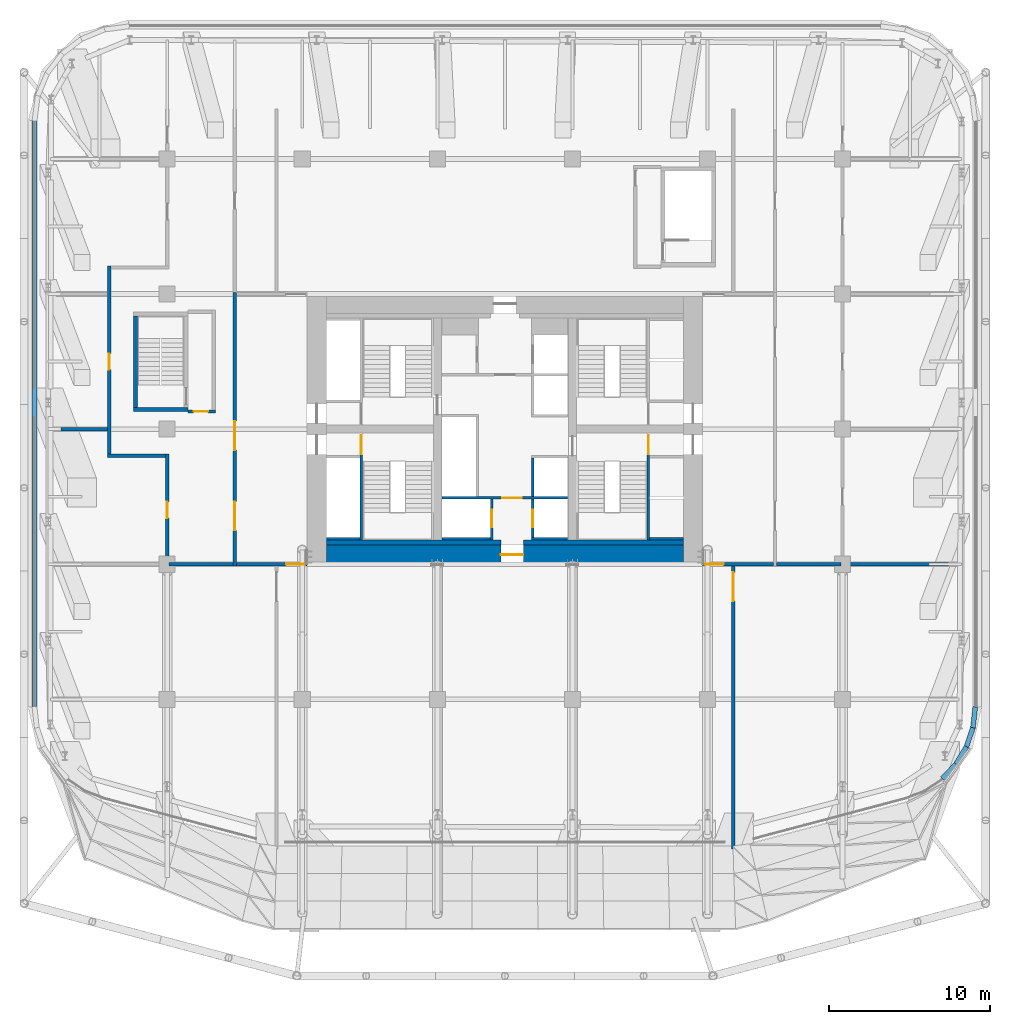
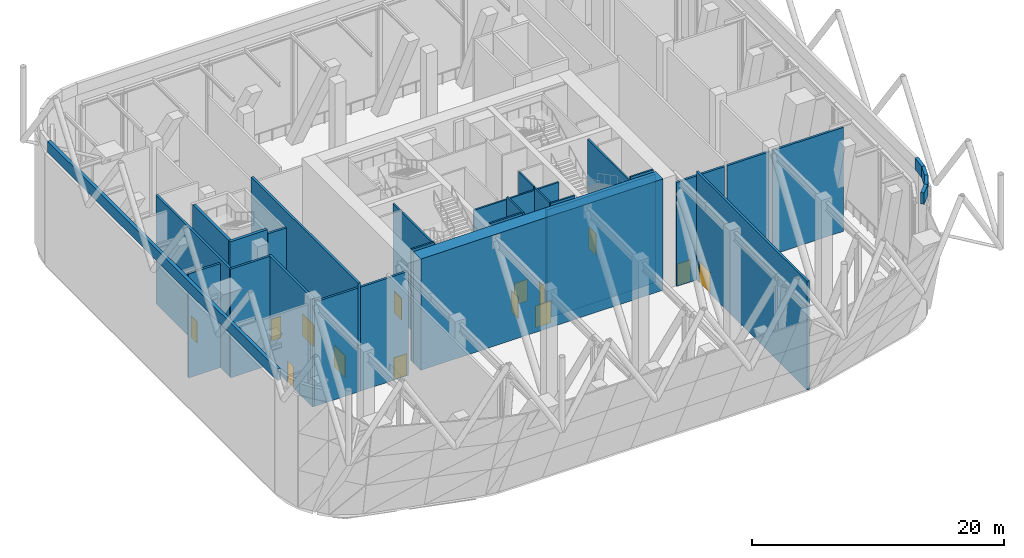
# One storey, part 9 of 19: 32 walls, 14 doors, 14 openings.
"""IFC4 building model written with IfcOpenShell, lengths in metres."""

from ifc_helpers import new_model, si_unit, direction, frame, frame_2d, origin, place, context, subcontext, project, spatial, rectangle, extrude, material, layer, layer_set, type_object, element, fill, save


model = new_model("IFC4")

# Units and contexts
model_context = context("Model", 3, precision=1e-05, world=origin(), true_north=direction((0.0, 1.0)))
body_context = subcontext(model_context, "Body", "Model", "MODEL_VIEW")
ifc_project = project(units=[si_unit("LENGTHUNIT", "METRE"), si_unit("AREAUNIT", "SQUARE_METRE"), si_unit("VOLUMEUNIT", "CUBIC_METRE"), si_unit("PLANEANGLEUNIT", "RADIAN"), si_unit("MASSUNIT", "GRAM", prefix="KILO")], contexts=[model_context])

# Site, building, storey
site_placement = place(None, origin())
site = spatial("IfcSite", under=ifc_project, at=site_placement, CompositionType="ELEMENT")
building_placement = place(site_placement, origin())
building = spatial("IfcBuilding", under=site, at=building_placement, Name="Marenta Gate Hotel Tower", CompositionType="ELEMENT")
storey_placement = place(building_placement, frame((0.0, 0.0, 86.89990234375)))
storey = spatial("IfcBuildingStorey", under=building, at=storey_placement, Name="L20", CompositionType="ELEMENT", Elevation=86.89990234375)

# Wall, openings, doors
ifc_material_1 = material(Name="Concrete blockwork", Category="masonry")
ifc_layer_1 = layer(ifc_material_1, 0.199951171875)
ifc_layer_set_1 = layer_set([ifc_layer_1], Name="Concrete blockwork")
wall_type_1 = type_object("IfcWallType", Name="Core boundary wall 200 REI 180", PredefinedType="PARTITIONING", material=ifc_layer_set_1)
wall_1_placement = place(storey_placement, frame((-16.800048828125, -0.10009765625, 0.0), z_axis=(0.0, 0.0, 1.0), x_axis=(0.0, 1.0, 0.0)))
wall_1 = element("IfcWall", 1, at=wall_1_placement, inside=storey, type_object=wall_type_1, Name="L20-CP-BW-W", PredefinedType="PARTITIONING", context=body_context, shape_type="SweptSolid", body=[
    extrude(rectangle(XDim=17.0, YDim=0.199951171875, at=frame_2d((8.5, 0.0))), origin(), (0.0, 0.0, 1.0), 10.5400390625),
])
opening_1_placement = place(wall_1_placement, frame((2.199951171875, 0.0, 0.0)))
opening_1 = element("IfcOpeningElement", 2, at=opening_1_placement, cuts=wall_1, Name="Opening ED-Wa-B", PredefinedType="OPENING", context=body_context, shape_type="SweptSolid", body=[
    extrude(rectangle(XDim=1.800048828125, YDim=2.10009765625, at=frame_2d((0.89990234375, 1.050048828125))), frame((0.0, 0.10009765625, 0.0), z_axis=(0.0, -1.0, 0.0), x_axis=(1.0, 0.0, 0.0)), (0.0, 0.0, 1.0), 0.199951171875),
])
opening_2_placement = place(wall_1_placement, frame((7.199951171875, 0.0, 0.0)))
opening_2 = element("IfcOpeningElement", 3, at=opening_2_placement, cuts=wall_1, Name="Opening ED-Wb-B", PredefinedType="OPENING", context=body_context, shape_type="SweptSolid", body=[
    extrude(rectangle(XDim=1.800048828125, YDim=2.10009765625, at=frame_2d((0.89990234375, 1.050048828125))), frame((0.0, 0.10009765625, 0.0), z_axis=(0.0, -1.0, 0.0), x_axis=(1.0, 0.0, 0.0)), (0.0, 0.0, 1.0), 0.199951171875),
])
ifc_material_2 = material(Name="Steel", Category="steel")
door_type_1 = type_object("IfcDoorType", Name="Core lobby entrance door 1800x2100 EI 60", OperationType="DOUBLE_DOOR_SINGLE_SWING", PredefinedType="DOOR", material=ifc_material_2)
door_1_placement = place(opening_1_placement, origin())
door_1 = element("IfcDoor", 4, at=door_1_placement, inside=storey, type_object=door_type_1, Name="ED-Wa-B", OperationType="DOUBLE_DOOR_SINGLE_SWING", OverallHeight=2.10009765625, OverallWidth=1.800048828125, PredefinedType="DOOR", context=body_context, shape_type="SweptSolid", body=[
    extrude(rectangle(XDim=1.800048828125, YDim=2.10009765625, at=frame_2d((0.89990234375, 1.050048828125))), frame((0.0, 0.02490234375, 0.0), z_axis=(0.0, -1.0, 0.0), x_axis=(1.0, 0.0, 0.0)), (0.0, 0.0, 1.0), 0.050048828125),
])
fill(opening_1, door_1)
door_2_placement = place(opening_2_placement, origin())
door_2 = element("IfcDoor", 5, at=door_2_placement, inside=storey, type_object=door_type_1, Name="ED-Wb-B", OperationType="DOUBLE_DOOR_SINGLE_SWING", OverallHeight=2.10009765625, OverallWidth=1.800048828125, PredefinedType="DOOR", context=body_context, shape_type="SweptSolid", body=[
    extrude(rectangle(XDim=1.800048828125, YDim=2.10009765625, at=frame_2d((0.89990234375, 1.050048828125))), frame((0.0, 0.02490234375, 0.0), z_axis=(0.0, -1.0, 0.0), x_axis=(1.0, 0.0, 0.0)), (0.0, 0.0, 1.0), 0.050048828125),
])
fill(opening_2, door_2)

# Wall, opening, door
wall_2_placement = place(storey_placement, frame((-16.699951171875, 0.0, 0.0), z_axis=(0.0, 0.0, 1.0), x_axis=(1.0, 0.0, 0.0)))
wall_2 = element("IfcWall", 6, at=wall_2_placement, inside=storey, type_object=wall_type_1, Name="L20-CP-EW-WS", PredefinedType="PARTITIONING", context=body_context, shape_type="SweptSolid", body=[
    extrude(rectangle(XDim=4.39990234375, YDim=0.199951171875, at=frame_2d((2.199951171875, 0.0))), origin(), (0.0, 0.0, 1.0), 10.090087890625),
])
opening_3_placement = place(wall_2_placement, frame((3.10009765625, 0.0, 0.0)))
opening_3 = element("IfcOpeningElement", 7, at=opening_3_placement, cuts=wall_2, Name="Opening RFD-WS", PredefinedType="OPENING", context=body_context, shape_type="SweptSolid", body=[
    extrude(rectangle(XDim=1.199951171875, YDim=2.10009765625, at=frame_2d((0.60009765625, 1.050048828125))), frame((0.0, 0.10009765625, 0.0), z_axis=(0.0, -1.0, 0.0), x_axis=(1.0, 0.0, 0.0)), (0.0, 0.0, 1.0), 0.199951171875),
])
ifc_material_3 = material(Name="Steel", Category="steel")
door_type_2 = type_object("IfcDoorType", Name="Core lobby door 1200x2100 FD60", OperationType="SINGLE_SWING_LEFT", PredefinedType="DOOR", material=ifc_material_3)
door_3_placement = place(opening_3_placement, origin())
door_3 = element("IfcDoor", 8, at=door_3_placement, inside=storey, type_object=door_type_2, Name="RFD-WS", OperationType="SINGLE_SWING_LEFT", OverallHeight=2.10009765625, OverallWidth=1.199951171875, PredefinedType="DOOR", context=body_context, shape_type="SweptSolid", body=[
    extrude(rectangle(XDim=1.199951171875, YDim=2.10009765625, at=frame_2d((0.60009765625, 1.050048828125))), frame((0.0, 0.02490234375, 0.0), z_axis=(0.0, -1.0, 0.0), x_axis=(1.0, 0.0, 0.0)), (0.0, 0.0, 1.0), 0.050048828125),
])
fill(opening_3, door_3)

wall_3_placement = place(storey_placement, frame((12.300048828125, 0.0, 0.0), z_axis=(0.0, 0.0, 1.0), x_axis=(1.0, 0.0, 0.0)))
wall_3 = element("IfcWall", 9, at=wall_3_placement, inside=storey, type_object=wall_type_1, Name="L20-CP-EW-ES", PredefinedType="PARTITIONING", context=body_context, shape_type="SweptSolid", body=[
    extrude(rectangle(XDim=4.39990234375, YDim=0.199951171875, at=frame_2d((2.199951171875, 0.0))), origin(), (0.0, 0.0, 1.0), 10.090087890625),
])
opening_4_placement = place(wall_3_placement, frame((0.10009765625, 0.0, 0.0)))
opening_4 = element("IfcOpeningElement", 10, at=opening_4_placement, cuts=wall_3, Name="Opening RFD-ES", PredefinedType="OPENING", context=body_context, shape_type="SweptSolid", body=[
    extrude(rectangle(XDim=1.199951171875, YDim=2.10009765625, at=frame_2d((0.60009765625, 1.050048828125))), frame((0.0, 0.10009765625, 0.0), z_axis=(0.0, -1.0, 0.0), x_axis=(1.0, 0.0, 0.0)), (0.0, 0.0, 1.0), 0.199951171875),
])
door_4_placement = place(opening_4_placement, origin())
door_4 = element("IfcDoor", 11, at=door_4_placement, inside=storey, type_object=door_type_2, Name="RFD-ES", OperationType="SINGLE_SWING_LEFT", OverallHeight=2.10009765625, OverallWidth=1.199951171875, PredefinedType="DOOR", context=body_context, shape_type="SweptSolid", body=[
    extrude(rectangle(XDim=1.199951171875, YDim=2.10009765625, at=frame_2d((0.60009765625, 1.050048828125))), frame((0.0, 0.02490234375, 0.0), z_axis=(0.0, -1.0, 0.0), x_axis=(1.0, 0.0, 0.0)), (0.0, 0.0, 1.0), 0.050048828125),
])
fill(opening_4, door_4)

# Walls
ifc_material_4 = material(Name="Concrete C40", Category="concrete")
ifc_layer_2 = layer(ifc_material_4, 0.300048828125)
ifc_layer_set_2 = layer_set([ifc_layer_2], Name="Concrete C40")
wall_type_2 = type_object("IfcWallType", Name="Core lining wall 300 REI 180", PredefinedType="PARTITIONING", material=ifc_layer_set_2)
wall_4_placement = place(storey_placement, frame((-11.10009765625, 1.35009765625, 0.0), z_axis=(0.0, 0.0, 1.0), x_axis=(1.0, 0.0, 0.0)))
element("IfcWall", 12, at=wall_4_placement, inside=storey, type_object=wall_type_2, Name="L20-CP-LN-S1", PredefinedType="PARTITIONING", context=body_context, shape_type="SweptSolid", body=[
    extrude(rectangle(XDim=10.85009765625, YDim=0.300048828125, at=frame_2d((5.425048828125, 0.0))), origin(), (0.0, 0.0, 1.0), 10.5400390625),
])
wall_5_placement = place(storey_placement, frame((1.14990234375, 1.35009765625, 0.0), z_axis=(0.0, 0.0, 1.0), x_axis=(1.0, 0.0, 0.0)))
element("IfcWall", 13, at=wall_5_placement, inside=storey, type_object=wall_type_2, Name="L20-CP-LN-S2", PredefinedType="PARTITIONING", context=body_context, shape_type="SweptSolid", body=[
    extrude(rectangle(XDim=9.9501953125, YDim=0.300048828125, at=frame_2d((4.97509765625, 0.0))), origin(), (0.0, 0.0, 1.0), 10.5400390625),
])

# Wall, opening, door
ifc_material_5 = material(Name="Concrete blockwork", Category="masonry")
ifc_layer_3 = layer(ifc_material_5, 0.14990234375)
ifc_layer_set_3 = layer_set([ifc_layer_3], Name="Concrete blockwork")
wall_type_3 = type_object("IfcWallType", Name="Core lobby partition 150 REI 180", PredefinedType="PARTITIONING", material=ifc_layer_set_3)
wall_6_placement = place(storey_placement, frame((-3.89990234375, 4.125, 0.0), z_axis=(0.0, 0.0, 1.0), x_axis=(1.0, 0.0, 0.0)))
wall_6 = element("IfcWall", 14, at=wall_6_placement, inside=storey, type_object=wall_type_3, Name="L20-CP-CW-S", PredefinedType="PARTITIONING", context=body_context, shape_type="SweptSolid", body=[
    extrude(rectangle(XDim=7.7998046875, YDim=0.14990234375, at=frame_2d((3.89990234375, 0.0))), origin(), (0.0, 0.0, 1.0), 10.5400390625),
])
opening_5_placement = place(wall_6_placement, frame((3.75, 0.0, 0.0)))
opening_5 = element("IfcOpeningElement", 15, at=opening_5_placement, cuts=wall_6, Name="Opening FD-FFS", PredefinedType="OPENING", context=body_context, shape_type="SweptSolid", body=[
    extrude(rectangle(XDim=1.199951171875, YDim=2.10009765625, at=frame_2d((0.60009765625, 1.050048828125))), frame((0.0, 0.074951171875, 0.0), z_axis=(0.0, -1.0, 0.0), x_axis=(1.0, 0.0, 0.0)), (0.0, 0.0, 1.0), 0.14990234375),
])
door_5_placement = place(opening_5_placement, origin())
door_5 = element("IfcDoor", 16, at=door_5_placement, inside=storey, type_object=door_type_2, Name="FD-FFS", OperationType="SINGLE_SWING_LEFT", OverallHeight=2.10009765625, OverallWidth=1.199951171875, PredefinedType="DOOR", context=body_context, shape_type="SweptSolid", body=[
    extrude(rectangle(XDim=1.199951171875, YDim=2.10009765625, at=frame_2d((0.60009765625, 1.050048828125))), frame((0.0, 0.02490234375, 0.0), z_axis=(0.0, -1.0, 0.0), x_axis=(1.0, 0.0, 0.0)), (0.0, 0.0, 1.0), 0.050048828125),
])
fill(opening_5, door_5)

# Walls
ifc_material_6 = material(Name="Concrete C40", Category="concrete")
ifc_layer_4 = layer(ifc_material_6, 0.14990234375)
ifc_layer_set_4 = layer_set([ifc_layer_4], Name="Concrete C40")
wall_type_4 = type_object("IfcWallType", Name="Core shaft wall 150 REI 180", PredefinedType="SHEAR", material=ifc_layer_set_4)
for number, where, z_axis, x_axis, name in (
    (17, (-11.10009765625, 1.574951171875, 0.0), (0.0, 0.0, 1.0), (1.0, 0.0, 0.0), "L20-SHF-SW-WS-5"),
    (18, (9.0, 1.574951171875, 0.0), (0.0, 0.0, 1.0), (1.0, 0.0, 0.0), "L20-SHF-SW-ES-5"),
):
    element("IfcWall", number, at=place(storey_placement, frame(where, z_axis=z_axis, x_axis=x_axis)), inside=storey, type_object=wall_type_4, Name=name, PredefinedType="SHEAR", context=body_context, shape_type="SweptSolid", body=[
        extrude(rectangle(XDim=2.10009765625, YDim=0.14990234375, at=frame_2d((1.050048828125, 0.0))), origin(), (0.0, 0.0, 1.0), 10.800048828125),
    ])

# Wall, opening, door
wall_7_placement = place(storey_placement, frame((-0.824951171875, 1.5, 0.0), z_axis=(0.0, 0.0, 1.0), x_axis=(0.0, 1.0, 0.0)))
wall_7 = element("IfcWall", 19, at=wall_7_placement, inside=storey, type_object=wall_type_4, Name="L20-SHF-CW-W-ff", PredefinedType="SHEAR", context=body_context, shape_type="SweptSolid", body=[
    extrude(rectangle(XDim=2.550048828125, YDim=0.14990234375, at=frame_2d((1.27490234375, 0.0))), origin(), (0.0, 0.0, 1.0), 10.800048828125),
])
opening_6_placement = place(wall_7_placement, frame((0.800048828125, 0.0, 0.0)))
opening_6 = element("IfcOpeningElement", 20, at=opening_6_placement, cuts=wall_7, Name="Opening LD-FF1", PredefinedType="OPENING", context=body_context, shape_type="SweptSolid", body=[
    extrude(rectangle(XDim=1.10009765625, YDim=2.10009765625, at=frame_2d((0.550048828125, 1.050048828125))), frame((0.0, 0.074951171875, 0.0), z_axis=(0.0, -1.0, 0.0), x_axis=(1.0, 0.0, 0.0)), (0.0, 0.0, 1.0), 0.14990234375),
])
ifc_material_7 = material(Name="Steel", Category="steel")
door_type_3 = type_object("IfcDoorType", Name="Core lift landing door 1100x2100 E 60", OperationType="SLIDING_TO_LEFT", PredefinedType="DOOR", material=ifc_material_7)
door_6_placement = place(opening_6_placement, origin())
door_6 = element("IfcDoor", 21, at=door_6_placement, inside=storey, type_object=door_type_3, Name="LD-FF1", OperationType="SLIDING_TO_LEFT", OverallHeight=2.10009765625, OverallWidth=1.10009765625, PredefinedType="DOOR", context=body_context, shape_type="SweptSolid", body=[
    extrude(rectangle(XDim=1.10009765625, YDim=2.10009765625, at=frame_2d((0.550048828125, 1.050048828125))), frame((0.0, 0.02490234375, 0.0), z_axis=(0.0, -1.0, 0.0), x_axis=(1.0, 0.0, 0.0)), (0.0, 0.0, 1.0), 0.050048828125),
])
fill(opening_6, door_6)

# Wall
wall_8_placement = place(storey_placement, frame((-3.89990234375, 1.574951171875, 0.0), z_axis=(0.0, 0.0, 1.0), x_axis=(1.0, 0.0, 0.0)))
element("IfcWall", 22, at=wall_8_placement, inside=storey, type_object=wall_type_4, Name="L20-SHF-CW-W-ffs", PredefinedType="SHEAR", context=body_context, shape_type="SweptSolid", body=[
    extrude(rectangle(XDim=3.0, YDim=0.14990234375, at=frame_2d((1.5, 0.0))), origin(), (0.0, 0.0, 1.0), 10.800048828125),
])

# Wall, opening, door
wall_9_placement = place(storey_placement, frame((1.72509765625, 1.64990234375, 0.0), z_axis=(0.0, 0.0, 1.0), x_axis=(0.0, 1.0, 0.0)))
wall_9 = element("IfcWall", 23, at=wall_9_placement, inside=storey, type_object=wall_type_4, Name="L20-SHF-CE-S-ls", PredefinedType="SHEAR", context=body_context, shape_type="SweptSolid", body=[
    extrude(rectangle(XDim=2.400146484375, YDim=0.14990234375, at=frame_2d((1.2001953125, 0.0))), origin(), (0.0, 0.0, 1.0), 10.800048828125),
])
opening_7_placement = place(wall_9_placement, frame((0.64990234375, 0.0, 0.0)))
opening_7 = element("IfcOpeningElement", 24, at=opening_7_placement, cuts=wall_9, Name="Opening LD-SV1", PredefinedType="OPENING", context=body_context, shape_type="SweptSolid", body=[
    extrude(rectangle(XDim=1.10009765625, YDim=2.10009765625, at=frame_2d((0.550048828125, 1.050048828125))), frame((0.0, 0.074951171875, 0.0), z_axis=(0.0, -1.0, 0.0), x_axis=(1.0, 0.0, 0.0)), (0.0, 0.0, 1.0), 0.14990234375),
])
door_7_placement = place(opening_7_placement, origin())
door_7 = element("IfcDoor", 25, at=door_7_placement, inside=storey, type_object=door_type_3, Name="LD-SV1", OperationType="SLIDING_TO_LEFT", OverallHeight=2.10009765625, OverallWidth=1.10009765625, PredefinedType="DOOR", context=body_context, shape_type="SweptSolid", body=[
    extrude(rectangle(XDim=1.10009765625, YDim=2.10009765625, at=frame_2d((0.550048828125, 1.050048828125))), frame((0.0, 0.02490234375, 0.0), z_axis=(0.0, -1.0, 0.0), x_axis=(1.0, 0.0, 0.0)), (0.0, 0.0, 1.0), 0.050048828125),
])
fill(opening_7, door_7)

# Walls
wall_10_placement = place(storey_placement, frame((1.64990234375, 1.574951171875, 0.0), z_axis=(0.0, 0.0, 1.0), x_axis=(1.0, 0.0, 0.0)))
element("IfcWall", 26, at=wall_10_placement, inside=storey, type_object=wall_type_4, Name="L20-SHF-CE-S-bot", PredefinedType="SHEAR", context=body_context, shape_type="SweptSolid", body=[
    extrude(rectangle(XDim=2.25, YDim=0.14990234375, at=frame_2d((1.125, 0.0))), origin(), (0.0, 0.0, 1.0), 10.800048828125),
])
wall_11_placement = place(storey_placement, frame((1.72509765625, 4.199951171875, 0.0), z_axis=(0.0, 0.0, 1.0), x_axis=(0.0, 1.0, 0.0)))
element("IfcWall", 27, at=wall_11_placement, inside=storey, type_object=wall_type_4, Name="L20-SHF-CE-front-1", PredefinedType="SHEAR", context=body_context, shape_type="SweptSolid", body=[
    extrude(rectangle(XDim=2.400146484375, YDim=0.14990234375, at=frame_2d((1.2001953125, 0.0))), origin(), (0.0, 0.0, 1.0), 10.800048828125),
])

# Wall, opening, door
ifc_material_8 = material(Name="Concrete C40", Category="concrete")
ifc_layer_5 = layer(ifc_material_8, 0.14990234375)
ifc_layer_set_5 = layer_set([ifc_layer_5], Name="Concrete C40")
wall_type_5 = type_object("IfcWallType", Name="Core stair enclosure wall 150 REI 180", PredefinedType="SHEAR", material=ifc_layer_set_5)
wall_12_placement = place(storey_placement, frame((-8.925048828125, 1.5, 0.0), z_axis=(0.0, 0.0, 1.0), x_axis=(0.0, 1.0, 0.0)))
wall_12 = element("IfcWall", 28, at=wall_12_placement, inside=storey, type_object=wall_type_5, Name="L20-SHF-SW-WS-3", PredefinedType="SHEAR", context=body_context, shape_type="SweptSolid", body=[
    extrude(rectangle(XDim=6.60009765625, YDim=0.14990234375, at=frame_2d((3.300048828125, 0.0))), origin(), (0.0, 0.0, 1.0), 10.5400390625),
])
opening_8_placement = place(wall_12_placement, frame((5.324951171875, 0.0, 0.0)))
opening_8 = element("IfcOpeningElement", 29, at=opening_8_placement, cuts=wall_12, Name="Opening SD-WS", PredefinedType="OPENING", context=body_context, shape_type="SweptSolid", body=[
    extrude(rectangle(XDim=1.199951171875, YDim=2.10009765625, at=frame_2d((0.60009765625, 1.050048828125))), frame((0.0, 0.074951171875, 0.0), z_axis=(0.0, -1.0, 0.0), x_axis=(1.0, 0.0, 0.0)), (0.0, 0.0, 1.0), 0.14990234375),
])
ifc_material_9 = material(Name="Steel", Category="steel")
door_type_4 = type_object("IfcDoorType", Name="Core stair door 1200x2100 FD60", OperationType="SINGLE_SWING_LEFT", PredefinedType="DOOR", material=ifc_material_9)
door_8_placement = place(opening_8_placement, origin())
door_8 = element("IfcDoor", 30, at=door_8_placement, inside=storey, type_object=door_type_4, Name="SD-WS", OperationType="SINGLE_SWING_LEFT", OverallHeight=2.10009765625, OverallWidth=1.199951171875, PredefinedType="DOOR", context=body_context, shape_type="SweptSolid", body=[
    extrude(rectangle(XDim=1.199951171875, YDim=2.10009765625, at=frame_2d((0.60009765625, 1.050048828125))), frame((0.0, 0.02490234375, 0.0), z_axis=(0.0, -1.0, 0.0), x_axis=(1.0, 0.0, 0.0)), (0.0, 0.0, 1.0), 0.050048828125),
])
fill(opening_8, door_8)

wall_13_placement = place(storey_placement, frame((8.925048828125, 1.5, 0.0), z_axis=(0.0, 0.0, 1.0), x_axis=(0.0, 1.0, 0.0)))
wall_13 = element("IfcWall", 31, at=wall_13_placement, inside=storey, type_object=wall_type_5, Name="L20-SHF-SW-ES-3", PredefinedType="SHEAR", context=body_context, shape_type="SweptSolid", body=[
    extrude(rectangle(XDim=6.60009765625, YDim=0.14990234375, at=frame_2d((3.300048828125, 0.0))), origin(), (0.0, 0.0, 1.0), 10.5400390625),
])
opening_9_placement = place(wall_13_placement, frame((5.324951171875, 0.0, 0.0)))
opening_9 = element("IfcOpeningElement", 32, at=opening_9_placement, cuts=wall_13, Name="Opening SD-ES", PredefinedType="OPENING", context=body_context, shape_type="SweptSolid", body=[
    extrude(rectangle(XDim=1.199951171875, YDim=2.10009765625, at=frame_2d((0.60009765625, 1.050048828125))), frame((0.0, 0.074951171875, 0.0), z_axis=(0.0, -1.0, 0.0), x_axis=(1.0, 0.0, 0.0)), (0.0, 0.0, 1.0), 0.14990234375),
])
door_9_placement = place(opening_9_placement, origin())
door_9 = element("IfcDoor", 33, at=door_9_placement, inside=storey, type_object=door_type_4, Name="SD-ES", OperationType="SINGLE_SWING_LEFT", OverallHeight=2.10009765625, OverallWidth=1.199951171875, PredefinedType="DOOR", context=body_context, shape_type="SweptSolid", body=[
    extrude(rectangle(XDim=1.199951171875, YDim=2.10009765625, at=frame_2d((0.60009765625, 1.050048828125))), frame((0.0, 0.02490234375, 0.0), z_axis=(0.0, -1.0, 0.0), x_axis=(1.0, 0.0, 0.0)), (0.0, 0.0, 1.0), 0.050048828125),
])
fill(opening_9, door_9)

ifc_material_10 = material(Name="Concrete C80", Category="concrete")
ifc_layer_6 = layer(ifc_material_10, 1.199951171875)
ifc_layer_set_6 = layer_set([ifc_layer_6], Name="Concrete C80")
wall_type_6 = type_object("IfcWallType", Name="Core wall 1200 C80", PredefinedType="SHEAR", material=ifc_layer_set_6)
wall_14_placement = place(storey_placement, frame((-11.10009765625, 0.60009765625, 0.0), z_axis=(0.0, 0.0, 1.0), x_axis=(1.0, 0.0, 0.0)))
wall_14 = element("IfcWall", 34, at=wall_14_placement, inside=storey, type_object=wall_type_6, Name="L20-CORE-S", PredefinedType="SHEAR", context=body_context, shape_type="SweptSolid", body=[
    extrude(rectangle(XDim=22.2001953125, YDim=1.199951171875, at=frame_2d((11.10009765625, 0.0))), origin(), (0.0, 0.0, 1.0), 10.800048828125),
])
opening_10_placement = place(wall_14_placement, frame((10.85009765625, 0.0, 0.0)))
opening_10 = element("IfcOpeningElement", 35, at=opening_10_placement, cuts=wall_14, Name="Opening RFD-S", PredefinedType="OPENING", context=body_context, shape_type="SweptSolid", body=[
    extrude(rectangle(XDim=1.39990234375, YDim=2.10009765625, at=frame_2d((0.699951171875, 1.050048828125))), frame((0.0, 0.60009765625, 0.0), z_axis=(0.0, -1.0, 0.0), x_axis=(1.0, 0.0, 0.0)), (0.0, 0.0, 1.0), 1.199951171875),
])
ifc_material_11 = material(Name="Steel", Category="steel")
door_type_5 = type_object("IfcDoorType", Name="Core lobby door 1400x2100 FD60", OperationType="SINGLE_SWING_LEFT", PredefinedType="DOOR", material=ifc_material_11)
door_10_placement = place(opening_10_placement, origin())
door_10 = element("IfcDoor", 36, at=door_10_placement, inside=storey, type_object=door_type_5, Name="RFD-S", OperationType="SINGLE_SWING_LEFT", OverallHeight=2.10009765625, OverallWidth=1.39990234375, PredefinedType="DOOR", context=body_context, shape_type="SweptSolid", body=[
    extrude(rectangle(XDim=1.39990234375, YDim=2.10009765625, at=frame_2d((0.699951171875, 1.050048828125))), frame((0.0, 0.02490234375, 0.0), z_axis=(0.0, -1.0, 0.0), x_axis=(1.0, 0.0, 0.0)), (0.0, 0.0, 1.0), 0.050048828125),
])
fill(opening_10, door_10)

# Walls
ifc_material_12 = material(Name="Concrete C40 board-marked", Category="concrete")
ifc_layer_7 = layer(ifc_material_12, 0.300048828125)
ifc_layer_set_7 = layer_set([ifc_layer_7], Name="Concrete C40 board-marked")
wall_type_7 = type_object("IfcWallType", Name="Parapet 300 mm board-marked concrete", PredefinedType="PARAPET", material=ifc_layer_set_7)
wall_15_placement = place(storey_placement, frame((-29.25, -8.88427734375, 10.800048828125), z_axis=(0.0, 0.0, 1.0), x_axis=(0.0, 1.0, 0.0)))
element("IfcWall", 37, at=wall_15_placement, inside=storey, type_object=wall_type_7, Name="L20-PAR-00030", PredefinedType="PARAPET", context=body_context, shape_type="SweptSolid", body=[
    extrude(rectangle(XDim=36.484375, YDim=0.300048828125, at=frame_2d((18.2421875, 0.0))), origin(), (0.0, 0.0, 1.0), 1.10009765625),
])
for number, where, z_axis, x_axis, name in (
    (38, (29.2509765625, -8.867919921875, 10.800048828125), (0.0, 0.0, 1.0), (-0.109121157301, -0.994028456851, 0.0), "L20-PAR-00180"),
    (39, (29.115234375, -10.136962890625, 10.800048828125), (0.0, 0.0, 1.0), (-0.321929483582, -0.946763649282, 0.0), "L20-PAR-00190"),
):
    element("IfcWall", number, at=place(storey_placement, frame(where, z_axis=z_axis, x_axis=x_axis)), inside=storey, type_object=wall_type_7, Name=name, PredefinedType="PARAPET", context=body_context, shape_type="SweptSolid", body=[
        extrude(rectangle(XDim=1.308837890625, YDim=0.300048828125, at=frame_2d((0.654296875, 0.0))), origin(), (0.0, 0.0, 1.0), 1.10009765625),
    ])
wall_16_placement = place(storey_placement, frame((28.70751953125, -11.346435546875, 10.800048828125), z_axis=(0.0, 0.0, 1.0), x_axis=(-0.519615563943, -0.854400178902, 0.0)))
element("IfcWall", 40, at=wall_16_placement, inside=storey, type_object=wall_type_7, Name="L20-PAR-00200", PredefinedType="PARAPET", context=body_context, shape_type="SweptSolid", body=[
    extrude(rectangle(XDim=1.30908203125, YDim=0.300048828125, at=frame_2d((0.654541015625, 0.0))), origin(), (0.0, 0.0, 1.0), 1.10009765625),
])
wall_17_placement = place(storey_placement, frame((28.04736328125, -12.438720703125, 10.800048828125), z_axis=(0.0, 0.0, 1.0), x_axis=(-0.692433097882, -0.721482089146, 0.0)))
element("IfcWall", 41, at=wall_17_placement, inside=storey, type_object=wall_type_7, Name="L20-PAR-00210", PredefinedType="PARAPET", context=body_context, shape_type="SweptSolid", body=[
    extrude(rectangle(XDim=1.2353515625, YDim=0.300048828125, at=frame_2d((0.61767578125, 0.0))), origin(), (0.0, 0.0, 1.0), 1.10009765625),
])
ifc_material_13 = material(Name="Concrete C40", Category="concrete")
ifc_layer_8 = layer(ifc_material_13, 0.25)
ifc_layer_set_8 = layer_set([ifc_layer_8], Name="Concrete C40")
wall_type_8 = type_object("IfcWallType", Name="Remote stair enclosure wall 250 REI 180", PredefinedType="SHEAR", material=ifc_layer_set_8)
wall_18_placement = place(storey_placement, frame((-23.10009765625, 9.625, 0.10009765625), z_axis=(0.0, 0.0, 1.0), x_axis=(1.0, 0.0, 0.0)))
element("IfcWall", 42, at=wall_18_placement, inside=storey, type_object=wall_type_8, Name="L20-RS-Z1-3-W1", PredefinedType="SHEAR", context=body_context, shape_type="SweptSolid", body=[
    extrude(rectangle(XDim=3.400146484375, YDim=0.25, at=frame_2d((1.7001953125, 0.0))), origin(), (0.0, 0.0, 1.0), 10.800048828125),
])
wall_19_placement = place(storey_placement, frame((-22.97509765625, 9.75, 0.10009765625), z_axis=(0.0, 0.0, 1.0), x_axis=(0.0, 1.0, 0.0)))
element("IfcWall", 43, at=wall_19_placement, inside=storey, type_object=wall_type_8, Name="L20-RS-Z1-3-W3", PredefinedType="SHEAR", context=body_context, shape_type="SweptSolid", body=[
    extrude(rectangle(XDim=5.699951171875, YDim=0.25, at=frame_2d((2.85009765625, 0.0))), origin(), (0.0, 0.0, 1.0), 10.800048828125),
])
ifc_material_14 = material(Name="Gypsum board on steel stud", Category="steel")
ifc_layer_9 = layer(ifc_material_14, 0.199951171875)
ifc_layer_set_9 = layer_set([ifc_layer_9], Name="Gypsum board on steel stud")
wall_type_9 = type_object("IfcWallType", Name="Room corridor wall 200 EI 60", PredefinedType="PARTITIONING", material=ifc_layer_set_9)
wall_20_placement = place(storey_placement, frame((-24.699951171875, 6.75, 0.0), z_axis=(0.0, 0.0, 1.0), x_axis=(1.0, 0.0, 0.0)))
element("IfcWall", 44, at=wall_20_placement, inside=storey, type_object=wall_type_9, Name="L20-PTN-W010", PredefinedType="PARTITIONING", context=body_context, shape_type="SweptSolid", body=[
    extrude(rectangle(XDim=3.599853515625, YDim=0.199951171875, at=frame_2d((1.7998046875, 0.0))), origin(), (0.0, 0.0, 1.0), 10.5400390625),
])

# Wall, opening, door
wall_21_placement = place(storey_placement, frame((-21.0, -0.10009765625, 0.0), z_axis=(0.0, 0.0, 1.0), x_axis=(0.0, 1.0, 0.0)))
wall_21 = element("IfcWall", 45, at=wall_21_placement, inside=storey, type_object=wall_type_9, Name="L20-PTN-W023", PredefinedType="PARTITIONING", context=body_context, shape_type="SweptSolid", body=[
    extrude(rectangle(XDim=6.9501953125, YDim=0.199951171875, at=frame_2d((3.47509765625, 0.0))), origin(), (0.0, 0.0, 1.0), 10.5400390625),
])
opening_11_placement = place(wall_21_placement, frame((2.97509765625, 0.0, 0.0)))
opening_11 = element("IfcOpeningElement", 46, at=opening_11_placement, cuts=wall_21, Name="Opening S07-01", PredefinedType="OPENING", context=body_context, shape_type="SweptSolid", body=[
    extrude(rectangle(XDim=1.0, YDim=2.10009765625, at=frame_2d((0.5, 1.050048828125))), frame((0.0, 0.10009765625, 0.0), z_axis=(0.0, -1.0, 0.0), x_axis=(1.0, 0.0, 0.0)), (0.0, 0.0, 1.0), 0.199951171875),
])
ifc_material_15 = material(Name="Hollow steel door set", Category="steel")
door_type_6 = type_object("IfcDoorType", Name="Plant room door 1000x2100 EI 30", OperationType="NOTDEFINED", PredefinedType="DOOR", material=ifc_material_15)
door_11_placement = place(opening_11_placement, origin())
door_11 = element("IfcDoor", 47, at=door_11_placement, inside=storey, type_object=door_type_6, Name="L20-PD-D001", OperationType="SINGLE_SWING_LEFT", OverallHeight=2.10009765625, OverallWidth=1.0, PredefinedType="DOOR", context=body_context, shape_type="SweptSolid", body=[
    extrude(rectangle(XDim=1.0, YDim=2.10009765625, at=frame_2d((0.5, 1.050048828125))), frame((0.0, 0.02490234375, 0.0), z_axis=(0.0, -1.0, 0.0), x_axis=(1.0, 0.0, 0.0)), (0.0, 0.0, 1.0), 0.050048828125),
])
fill(opening_11, door_11)

wall_22_placement = place(storey_placement, frame((-24.60009765625, 6.85009765625, 0.0), z_axis=(0.0, 0.0, 1.0), x_axis=(0.0, 1.0, 0.0)))
wall_22 = element("IfcWall", 48, at=wall_22_placement, inside=storey, type_object=wall_type_9, Name="L20-PTN-W025", PredefinedType="PARTITIONING", context=body_context, shape_type="SweptSolid", body=[
    extrude(rectangle(XDim=11.699951171875, YDim=0.199951171875, at=frame_2d((5.85009765625, 0.0))), origin(), (0.0, 0.0, 1.0), 10.5400390625),
])
opening_12_placement = place(wall_22_placement, frame((5.25, 0.0, 0.0)))
opening_12 = element("IfcOpeningElement", 49, at=opening_12_placement, cuts=wall_22, Name="Opening S07-02", PredefinedType="OPENING", context=body_context, shape_type="SweptSolid", body=[
    extrude(rectangle(XDim=1.0, YDim=2.10009765625, at=frame_2d((0.5, 1.050048828125))), frame((0.0, 0.10009765625, 0.0), z_axis=(0.0, -1.0, 0.0), x_axis=(1.0, 0.0, 0.0)), (0.0, 0.0, 1.0), 0.199951171875),
])
door_12_placement = place(opening_12_placement, origin())
door_12 = element("IfcDoor", 50, at=door_12_placement, inside=storey, type_object=door_type_6, Name="L20-PD-D002", OperationType="SINGLE_SWING_RIGHT", OverallHeight=2.10009765625, OverallWidth=1.0, PredefinedType="DOOR", context=body_context, shape_type="SweptSolid", body=[
    extrude(rectangle(XDim=1.0, YDim=2.10009765625, at=frame_2d((0.5, 1.050048828125))), frame((0.0, 0.02490234375, 0.0), z_axis=(0.0, -1.0, 0.0), x_axis=(1.0, 0.0, 0.0)), (0.0, 0.0, 1.0), 0.050048828125),
])
fill(opening_12, door_12)

# Walls
ifc_material_16 = material(Name="Concrete blockwork", Category="masonry")
ifc_layer_10 = layer(ifc_material_16, 0.199951171875)
ifc_layer_set_10 = layer_set([ifc_layer_10], Name="Concrete blockwork")
wall_type_10 = type_object("IfcWallType", Name="Room corridor wall 200 REI 180", PredefinedType="PARTITIONING", material=ifc_layer_set_10)
for number, where, z_axis, x_axis, name in (
    (51, (-20.89990234375, 0.0, 0.0), (0.0, 0.0, 1.0), (1.0, 0.0, 0.0), "L20-PTN-W008"),
    (52, (16.89990234375, 0.0, 0.0), (0.0, 0.0, 1.0), (1.0, 0.0, 0.0), "L20-PTN-W009"),
):
    element("IfcWall", number, at=place(storey_placement, frame(where, z_axis=z_axis, x_axis=x_axis)), inside=storey, type_object=wall_type_10, Name=name, PredefinedType="PARTITIONING", context=body_context, shape_type="SweptSolid", body=[
        extrude(rectangle(XDim=4.0, YDim=0.199951171875, at=frame_2d((2.0, 0.0))), origin(), (0.0, 0.0, 1.0), 10.090087890625),
    ])

# Wall, opening, door
wall_23_placement = place(storey_placement, frame((-19.699951171875, 9.5, 0.0), z_axis=(0.0, 0.0, 1.0), x_axis=(1.0, 0.0, 0.0)))
wall_23 = element("IfcWall", 53, at=wall_23_placement, inside=storey, type_object=wall_type_10, Name="L20-PTN-W013", PredefinedType="PARTITIONING", context=body_context, shape_type="SweptSolid", body=[
    extrude(rectangle(XDim=1.699951171875, YDim=0.199951171875, at=frame_2d((0.85009765625, 0.0))), origin(), (0.0, 0.0, 1.0), 10.5400390625),
])
opening_13_placement = place(wall_23_placement, frame((0.35009765625, 0.0, 0.0)))
opening_13 = element("IfcOpeningElement", 54, at=opening_13_placement, cuts=wall_23, Name="Opening S07-13", PredefinedType="OPENING", context=body_context, shape_type="SweptSolid", body=[
    extrude(rectangle(XDim=0.89990234375, YDim=2.10009765625, at=frame_2d((0.449951171875, 1.050048828125))), frame((0.0, 0.10009765625, 0.0), z_axis=(0.0, -1.0, 0.0), x_axis=(1.0, 0.0, 0.0)), (0.0, 0.0, 1.0), 0.199951171875),
])
ifc_material_17 = material(Name="Hollow steel door set", Category="steel")
door_type_7 = type_object("IfcDoorType", Name="Stair vestibule door 900x2100 EI 60", OperationType="NOTDEFINED", PredefinedType="DOOR", material=ifc_material_17)
door_13_placement = place(opening_13_placement, origin())
door_13 = element("IfcDoor", 55, at=door_13_placement, inside=storey, type_object=door_type_7, Name="L20-PD-D013", OperationType="SINGLE_SWING_RIGHT", OverallHeight=2.10009765625, OverallWidth=0.89990234375, PredefinedType="DOOR", context=body_context, shape_type="SweptSolid", body=[
    extrude(rectangle(XDim=0.89990234375, YDim=2.10009765625, at=frame_2d((0.449951171875, 1.050048828125))), frame((0.0, 0.02490234375, 0.0), z_axis=(0.0, -1.0, 0.0), x_axis=(1.0, 0.0, 0.0)), (0.0, 0.0, 1.0), 0.050048828125),
])
fill(opening_13, door_13)

# Wall
ifc_material_18 = material(Name="Gypsum board on steel stud", Category="steel")
ifc_layer_11 = layer(ifc_material_18, 0.199951171875)
ifc_layer_set_11 = layer_set([ifc_layer_11], Name="Gypsum board on steel stud")
wall_type_11 = type_object("IfcWallType", Name="Room party wall 200 EI 60", PredefinedType="PARTITIONING", material=ifc_layer_set_11)
wall_24_placement = place(storey_placement, frame((-27.60009765625, 8.39990234375, 0.0), z_axis=(0.0, 0.0, 1.0), x_axis=(1.0, 0.0, 0.0)))
element("IfcWall", 56, at=wall_24_placement, inside=storey, type_object=wall_type_11, Name="L20-PTN-W011", PredefinedType="PARTITIONING", context=body_context, shape_type="SweptSolid", body=[
    extrude(rectangle(XDim=2.900146484375, YDim=0.199951171875, at=frame_2d((1.4501953125, 0.0))), origin(), (0.0, 0.0, 1.0), 10.090087890625),
])

# Wall, opening, door
ifc_material_19 = material(Name="Concrete blockwork", Category="masonry")
ifc_layer_12 = layer(ifc_material_19, 0.199951171875)
ifc_layer_set_12 = layer_set([ifc_layer_12], Name="Concrete blockwork")
wall_type_12 = type_object("IfcWallType", Name="Room party wall 200 REI 180", PredefinedType="PARTITIONING", material=ifc_layer_set_12)
wall_25_placement = place(storey_placement, frame((14.199951171875, -17.698974609375, 0.0), z_axis=(0.0, 0.0, 1.0), x_axis=(0.0, 1.0, 0.0)))
wall_25 = element("IfcWall", 57, at=wall_25_placement, inside=storey, type_object=wall_type_12, Name="L20-PTN-W003", PredefinedType="PARTITIONING", context=body_context, shape_type="SweptSolid", body=[
    extrude(rectangle(XDim=17.598876953125, YDim=0.199951171875, at=frame_2d((8.79931640625, 0.0))), origin(), (0.0, 0.0, 1.0), 10.5400390625),
])
opening_14_placement = place(wall_25_placement, frame((15.39892578125, 0.0, 0.0)))
opening_14 = element("IfcOpeningElement", 58, at=opening_14_placement, cuts=wall_25, Name="Opening S07-12", PredefinedType="OPENING", context=body_context, shape_type="SweptSolid", body=[
    extrude(rectangle(XDim=1.800048828125, YDim=2.10009765625, at=frame_2d((0.89990234375, 1.050048828125))), frame((0.0, 0.10009765625, 0.0), z_axis=(0.0, -1.0, 0.0), x_axis=(1.0, 0.0, 0.0)), (0.0, 0.0, 1.0), 0.199951171875),
])
ifc_material_20 = material(Name="Timber door leaf", Category="wood")
door_type_8 = type_object("IfcDoorType", Name="Room amenity door 1800x2100 EI 60", OperationType="DOUBLE_DOOR_SINGLE_SWING", PredefinedType="DOOR", material=ifc_material_20)
door_14_placement = place(opening_14_placement, origin())
door_14 = element("IfcDoor", 59, at=door_14_placement, inside=storey, type_object=door_type_8, Name="L20-PD-D012", OperationType="DOUBLE_DOOR_SINGLE_SWING", OverallHeight=2.10009765625, OverallWidth=1.800048828125, PredefinedType="DOOR", context=body_context, shape_type="SweptSolid", body=[
    extrude(rectangle(XDim=1.800048828125, YDim=2.10009765625, at=frame_2d((0.89990234375, 1.050048828125))), frame((0.0, 0.02490234375, 0.0), z_axis=(0.0, -1.0, 0.0), x_axis=(1.0, 0.0, 0.0)), (0.0, 0.0, 1.0), 0.050048828125),
])
fill(opening_14, door_14)

# Wall
wall_26_placement = place(storey_placement, frame((21.10009765625, 0.0, 0.0), z_axis=(0.0, 0.0, 1.0), x_axis=(1.0, 0.0, 0.0)))
element("IfcWall", 60, at=wall_26_placement, inside=storey, type_object=wall_type_12, Name="L20-PTN-W007", PredefinedType="PARTITIONING", context=body_context, shape_type="SweptSolid", body=[
    extrude(rectangle(XDim=6.5, YDim=0.199951171875, at=frame_2d((3.25, 0.0))), origin(), (0.0, 0.0, 1.0), 10.090087890625),
])

save(model, "model.ifc")
